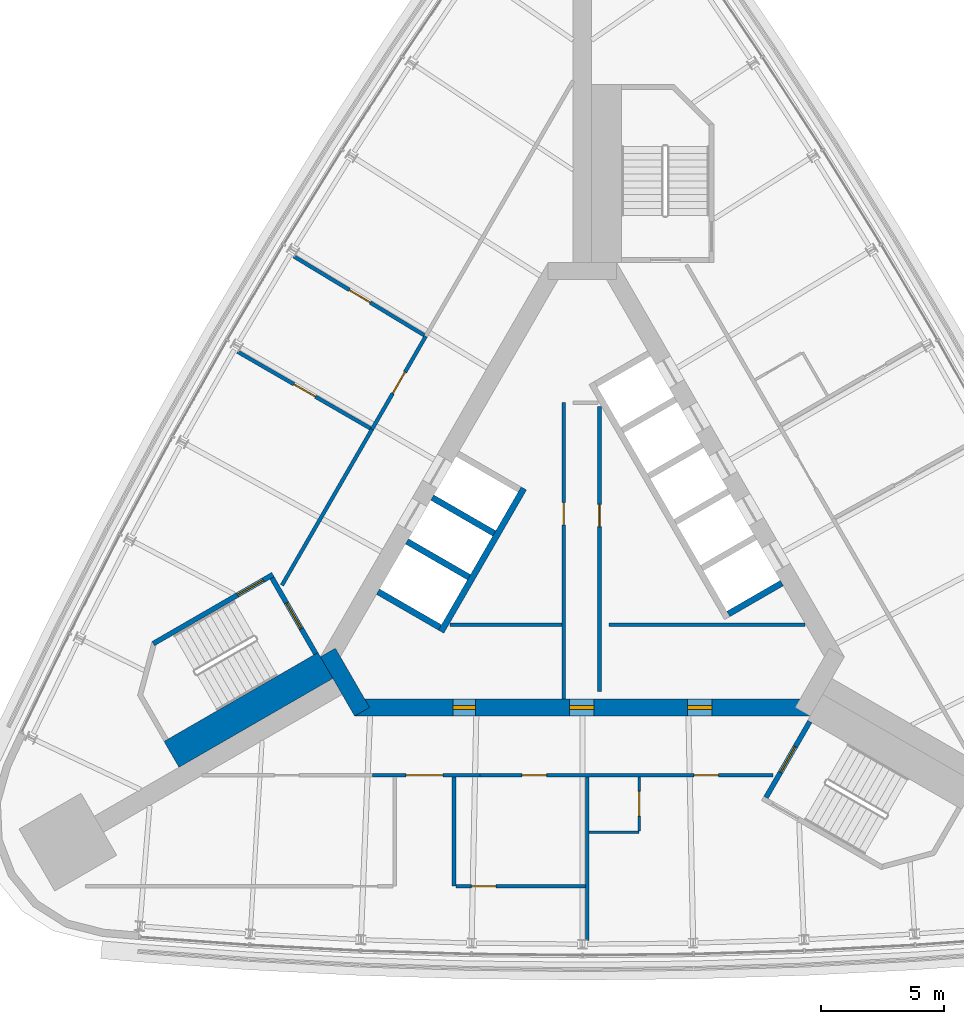
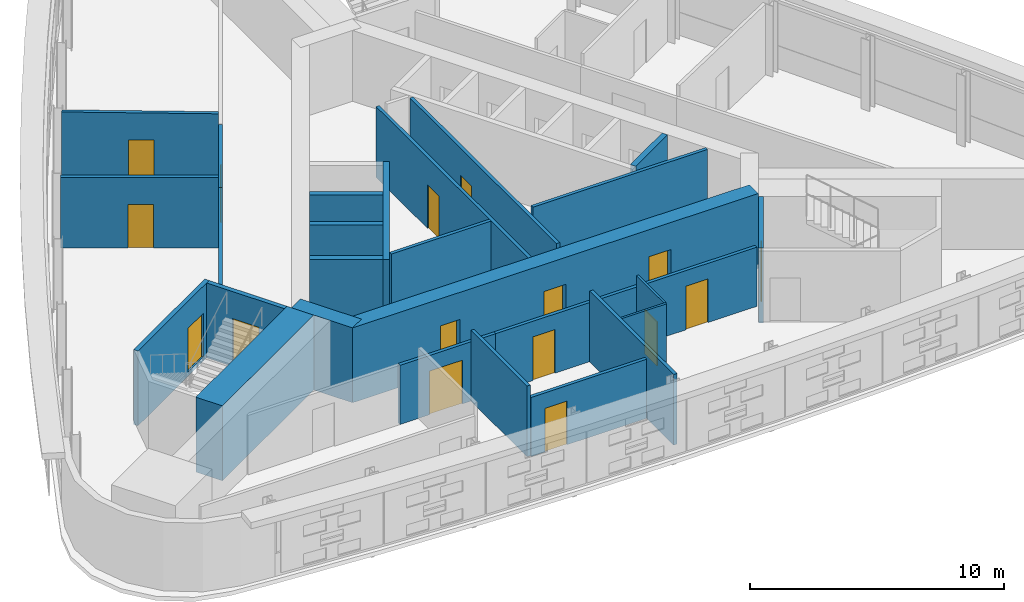
# One storey, part 9 of 13: 26 walls, 16 doors, 16 openings.
"""IFC4 building model written with IfcOpenShell, lengths in metres."""

from ifc_helpers import new_model, si_unit, direction, frame, frame_2d, origin, place, context, subcontext, project, spatial, rectangle, extrude, material, layer, layer_set, type_object, element, fill, save


model = new_model("IFC4")

# Units and contexts
model_context = context("Model", 3, precision=1e-05, world=origin(), true_north=direction((0.0, 1.0)))
body_context = subcontext(model_context, "Body", "Model", "MODEL_VIEW")
ifc_project = project(units=[si_unit("LENGTHUNIT", "METRE"), si_unit("AREAUNIT", "SQUARE_METRE"), si_unit("VOLUMEUNIT", "CUBIC_METRE"), si_unit("PLANEANGLEUNIT", "RADIAN"), si_unit("MASSUNIT", "GRAM", prefix="KILO")], contexts=[model_context])

# Site, building, storey
site_placement = place(None, origin())
site = spatial("IfcSite", under=ifc_project, at=site_placement, CompositionType="ELEMENT")
building_placement = place(site_placement, origin())
building = spatial("IfcBuilding", under=site, at=building_placement, Name="Noor Cloister Tower", CompositionType="ELEMENT")
storey_placement = place(building_placement, frame((0.0, 0.0, 140.10009765625)))
storey = spatial("IfcBuildingStorey", under=building, at=storey_placement, Name="L35", CompositionType="ELEMENT", Elevation=140.10009765625)

# Wall
ifc_material_1 = material(Name="Concrete C30/37", Category="concrete")
ifc_layer_1 = layer(ifc_material_1, 0.14990234375)
ifc_layer_set_1 = layer_set([ifc_layer_1], Name="Core partition 150 C30/37")
wall_type_1 = type_object("IfcWallType", Name="Core partition 150 C30/37", PredefinedType="PARTITIONING", material=ifc_layer_set_1)
wall_1_placement = place(storey_placement, frame((-5.373291015625, -3.228271484375, 0.0), z_axis=(0.0, 0.0, 1.0), x_axis=(1.0, 0.0, 0.0)))
element("IfcWall", 1, at=wall_1_placement, inside=storey, type_object=wall_type_1, Name="Core room partition L35 1", PredefinedType="PARTITIONING", context=body_context, shape_type="SweptSolid", body=[
    extrude(rectangle(XDim=4.544677734375, YDim=0.14990234375, at=frame_2d((2.2724609375, 0.0))), origin(), (0.0, 0.0, 1.0), 3.39990234375),
])

# Wall, opening, door
wall_2_placement = place(storey_placement, frame((-0.753662109375, 5.771728515625, 0.0), z_axis=(0.0, 0.0, 1.0), x_axis=(0.0, -1.0, 0.0)))
wall_2 = element("IfcWall", 2, at=wall_2_placement, inside=storey, type_object=wall_type_1, Name="Core room partition L35 2", PredefinedType="PARTITIONING", context=body_context, shape_type="SweptSolid", body=[
    extrude(rectangle(XDim=12.0, YDim=0.14990234375, at=frame_2d((6.0, 0.0))), origin(), (0.0, 0.0, 1.0), 3.39990234375),
])
opening_1_placement = place(wall_2_placement, frame((4.051025390625, 0.0, 0.0)))
opening_1 = element("IfcOpeningElement", 3, at=opening_1_placement, cuts=wall_2, Name="Opening L35-904", PredefinedType="OPENING", context=body_context, shape_type="SweptSolid", body=[
    extrude(rectangle(XDim=0.89990234375, YDim=2.10009765625, at=frame_2d((0.449951171875, 1.050048828125))), frame((0.0, 0.0849609375, 0.0), z_axis=(0.0, -1.0, 0.0), x_axis=(1.0, 0.0, 0.0)), (0.0, 0.0, 1.0), 0.169921875),
])
ifc_material_2 = material(Name="Steel", Category="steel")
door_type_1 = type_object("IfcDoorType", Name="Core door 900 x 2100 FD120", OperationType="SINGLE_SWING_LEFT", PredefinedType="DOOR", material=ifc_material_2)
door_1_placement = place(opening_1_placement, origin())
door_1 = element("IfcDoor", 4, at=door_1_placement, inside=storey, type_object=door_type_1, Name="Core door 4 L35", OperationType="SINGLE_SWING_RIGHT", OverallHeight=2.10009765625, OverallWidth=0.89990234375, PredefinedType="DOOR", context=body_context, shape_type="SweptSolid", body=[
    extrude(rectangle(XDim=0.89990234375, YDim=2.10009765625, at=frame_2d((0.449951171875, 1.050048828125))), frame((0.0, 0.02490234375, 0.0), z_axis=(0.0, -1.0, 0.0), x_axis=(1.0, 0.0, 0.0)), (0.0, 0.0, 1.0), 0.050048828125),
])
fill(opening_1, door_1)

wall_3_placement = place(storey_placement, frame((0.6962890625, -5.92822265625, 0.0), z_axis=(0.0, 0.0, 1.0), x_axis=(0.0, 1.0, 0.0)))
wall_3 = element("IfcWall", 5, at=wall_3_placement, inside=storey, type_object=wall_type_1, Name="Core room partition L35 4", PredefinedType="PARTITIONING", context=body_context, shape_type="SweptSolid", body=[
    extrude(rectangle(XDim=11.548583984375, YDim=0.14990234375, at=frame_2d((5.7744140625, 0.0))), origin(), (0.0, 0.0, 1.0), 3.39990234375),
])
opening_2_placement = place(wall_3_placement, frame((6.67333984375, 0.0, 0.0)))
opening_2 = element("IfcOpeningElement", 6, at=opening_2_placement, cuts=wall_3, Name="Opening L35-905", PredefinedType="OPENING", context=body_context, shape_type="SweptSolid", body=[
    extrude(rectangle(XDim=0.89990234375, YDim=2.10009765625, at=frame_2d((0.449951171875, 1.050048828125))), frame((0.0, 0.0849609375, 0.0), z_axis=(0.0, -1.0, 0.0), x_axis=(1.0, 0.0, 0.0)), (0.0, 0.0, 1.0), 0.169921875),
])
door_2_placement = place(opening_2_placement, origin())
door_2 = element("IfcDoor", 7, at=door_2_placement, inside=storey, type_object=door_type_1, Name="Core door 5 L35", OperationType="SINGLE_SWING_LEFT", OverallHeight=2.10009765625, OverallWidth=0.89990234375, PredefinedType="DOOR", context=body_context, shape_type="SweptSolid", body=[
    extrude(rectangle(XDim=0.89990234375, YDim=2.10009765625, at=frame_2d((0.449951171875, 1.050048828125))), frame((0.0, 0.02490234375, 0.0), z_axis=(0.0, -1.0, 0.0), x_axis=(1.0, 0.0, 0.0)), (0.0, 0.0, 1.0), 0.050048828125),
])
fill(opening_2, door_2)

# Wall
wall_4_placement = place(storey_placement, frame((1.0712890625, -3.228271484375, 0.0), z_axis=(0.0, 0.0, 1.0), x_axis=(1.0, 0.0, 0.0)))
element("IfcWall", 8, at=wall_4_placement, inside=storey, type_object=wall_type_1, Name="Core room partition L35 5", PredefinedType="PARTITIONING", context=body_context, shape_type="SweptSolid", body=[
    extrude(rectangle(XDim=7.939208984375, YDim=0.14990234375, at=frame_2d((3.9697265625, 0.0))), origin(), (0.0, 0.0, 1.0), 3.39990234375),
])

# Wall, openings, doors
ifc_material_3 = material(Name="Concrete C70/85", Category="concrete")
ifc_layer_2 = layer(ifc_material_3, 0.699951171875)
ifc_layer_set_2 = layer_set([ifc_layer_2], Name="Core wall 700 C70/85")
wall_type_2 = type_object("IfcWallType", Name="Core wall 700 C70/85", PredefinedType="SHEAR", material=ifc_layer_set_2)
wall_5_placement = place(storey_placement, frame((-9.228759765625, -6.578125, -0.2001953125), z_axis=(0.0, 0.0, 1.0), x_axis=(1.0, 0.0, 0.0)))
wall_5 = element("IfcWall", 9, at=wall_5_placement, inside=storey, type_object=wall_type_2, Name="Core wall L35 1", PredefinedType="SHEAR", context=body_context, shape_type="SweptSolid", body=[
    extrude(rectangle(XDim=18.45751953125, YDim=0.699951171875, at=frame_2d((9.228759765625, 0.0))), origin(), (0.0, 0.0, 1.0), 3.60009765625),
])
opening_3_placement = place(wall_5_placement, frame((8.699951171875, 0.0, 0.199951171875)))
opening_3 = element("IfcOpeningElement", 10, at=opening_3_placement, cuts=wall_5, Name="Opening L35-901", PredefinedType="OPENING", context=body_context, shape_type="SweptSolid", body=[
    extrude(rectangle(XDim=1.0, YDim=2.10009765625, at=frame_2d((0.5, 1.050048828125))), frame((0.0, 0.35986328125, 0.0), z_axis=(0.0, -1.0, 0.0), x_axis=(1.0, 0.0, 0.0)), (0.0, 0.0, 1.0), 0.719970703125),
])
opening_4_placement = place(wall_5_placement, frame((3.989501953125, 0.0, 0.199951171875)))
opening_4 = element("IfcOpeningElement", 11, at=opening_4_placement, cuts=wall_5, Name="Opening L35-902", PredefinedType="OPENING", context=body_context, shape_type="SweptSolid", body=[
    extrude(rectangle(XDim=0.89990234375, YDim=2.10009765625, at=frame_2d((0.449951171875, 1.050048828125))), frame((0.0, 0.35986328125, 0.0), z_axis=(0.0, -1.0, 0.0), x_axis=(1.0, 0.0, 0.0)), (0.0, 0.0, 1.0), 0.719970703125),
])
opening_5_placement = place(wall_5_placement, frame((13.489013671875, 0.0, 0.199951171875)))
opening_5 = element("IfcOpeningElement", 12, at=opening_5_placement, cuts=wall_5, Name="Opening L35-903", PredefinedType="OPENING", context=body_context, shape_type="SweptSolid", body=[
    extrude(rectangle(XDim=1.0, YDim=2.10009765625, at=frame_2d((0.5, 1.050048828125))), frame((0.0, 0.35986328125, 0.0), z_axis=(0.0, -1.0, 0.0), x_axis=(1.0, 0.0, 0.0)), (0.0, 0.0, 1.0), 0.719970703125),
])
ifc_material_4 = material(Name="Steel", Category="steel")
door_type_2 = type_object("IfcDoorType", Name="Core door 1000 x 2100 FD120", OperationType="SINGLE_SWING_LEFT", PredefinedType="DOOR", material=ifc_material_4)
door_3_placement = place(opening_3_placement, origin())
door_3 = element("IfcDoor", 13, at=door_3_placement, inside=storey, type_object=door_type_2, Name="Core door 1 L35", OperationType="SINGLE_SWING_LEFT", OverallHeight=2.10009765625, OverallWidth=1.0, PredefinedType="DOOR", context=body_context, shape_type="SweptSolid", body=[
    extrude(rectangle(XDim=1.0, YDim=2.10009765625, at=frame_2d((0.5, 1.050048828125))), frame((0.0, 0.074951171875, 0.0), z_axis=(0.0, -1.0, 0.0), x_axis=(1.0, 0.0, 0.0)), (0.0, 0.0, 1.0), 0.14990234375),
])
fill(opening_3, door_3)
ifc_material_5 = material(Name="Steel", Category="steel")
door_type_3 = type_object("IfcDoorType", Name="Core door 1000 x 2100 FD60", OperationType="SINGLE_SWING_LEFT", PredefinedType="DOOR", material=ifc_material_5)
door_4_placement = place(opening_5_placement, origin())
door_4 = element("IfcDoor", 14, at=door_4_placement, inside=storey, type_object=door_type_3, Name="Core door 3 L35", OperationType="SINGLE_SWING_LEFT", OverallHeight=2.10009765625, OverallWidth=1.0, PredefinedType="DOOR", context=body_context, shape_type="SweptSolid", body=[
    extrude(rectangle(XDim=1.0, YDim=2.10009765625, at=frame_2d((0.5, 1.050048828125))), frame((0.0, 0.074951171875, 0.0), z_axis=(0.0, -1.0, 0.0), x_axis=(1.0, 0.0, 0.0)), (0.0, 0.0, 1.0), 0.14990234375),
])
fill(opening_5, door_4)
door_5_placement = place(opening_4_placement, origin())
door_5 = element("IfcDoor", 15, at=door_5_placement, inside=storey, type_object=door_type_1, Name="Core door 2 L35", OperationType="SINGLE_SWING_RIGHT", OverallHeight=2.10009765625, OverallWidth=0.89990234375, PredefinedType="DOOR", context=body_context, shape_type="SweptSolid", body=[
    extrude(rectangle(XDim=0.89990234375, YDim=2.10009765625, at=frame_2d((0.449951171875, 1.050048828125))), frame((0.0, 0.074951171875, 0.0), z_axis=(0.0, -1.0, 0.0), x_axis=(1.0, 0.0, 0.0)), (0.0, 0.0, 1.0), 0.14990234375),
])
fill(opening_4, door_5)

# Walls
wall_6_placement = place(storey_placement, frame((-10.311279296875, -4.353271484375, -0.2001953125), z_axis=(0.0, 0.0, 1.0), x_axis=(0.500042739161, -0.866000726912, 0.0)))
element("IfcWall", 16, at=wall_6_placement, inside=storey, type_object=wall_type_2, Name="Core wall L35 6", PredefinedType="SHEAR", context=body_context, shape_type="SweptSolid", body=[
    extrude(rectangle(XDim=2.771240234375, YDim=0.699951171875, at=frame_2d((1.3857421875, 0.0))), origin(), (0.0, 0.0, 1.0), 3.60009765625),
])
ifc_material_6 = material(Name="Fire-rated gypsum board partition on steel studs, 150 mm", Category="steel")
ifc_layer_3 = layer(ifc_material_6, 0.14990234375)
ifc_layer_set_3 = layer_set([ifc_layer_3], Name="Fire lobby wall 150")
wall_type_3 = type_object("IfcWallType", Name="Fire lobby wall 150", PredefinedType="PARTITIONING", material=ifc_layer_set_3)
wall_7_placement = place(storey_placement, frame((-8.52490234375, 4.69091796875, 0.0), z_axis=(0.0, 0.0, 1.0), x_axis=(-0.499986021771, -0.866033473968, 0.0)))
element("IfcWall", 17, at=wall_7_placement, inside=storey, type_object=wall_type_3, Name="Wall L35-W19", PredefinedType="PARTITIONING", context=body_context, shape_type="SweptSolid", body=[
    extrude(rectangle(XDim=7.296630859375, YDim=0.14990234375, at=frame_2d((3.6484375, 0.0))), origin(), (0.0, 0.0, 1.0), 2.846923828125),
])

# Wall, opening, door
wall_8_placement = place(storey_placement, frame((-6.34619140625, 8.46435546875, 0.0), z_axis=(0.0, 0.0, 1.0), x_axis=(-0.50001992892, -0.866013897511, 0.0)))
wall_8 = element("IfcWall", 18, at=wall_8_placement, inside=storey, type_object=wall_type_3, Name="Wall L35-W22", PredefinedType="PARTITIONING", context=body_context, shape_type="SweptSolid", body=[
    extrude(rectangle(XDim=4.357177734375, YDim=0.14990234375, at=frame_2d((2.1787109375, 0.0))), origin(), (0.0, 0.0, 1.0), 2.846923828125),
])
opening_6_placement = place(wall_8_placement, frame((1.678466796875, 0.0, 0.0)))
opening_6 = element("IfcOpeningElement", 19, at=opening_6_placement, cuts=wall_8, Name="Opening L35-012", PredefinedType="OPENING", context=body_context, shape_type="SweptSolid", body=[
    extrude(rectangle(XDim=1.0, YDim=2.10009765625, at=frame_2d((0.5, 1.050048828125))), frame((0.0, 0.0849609375, 0.0), z_axis=(0.0, -1.0, 0.0), x_axis=(1.0, 0.0, 0.0)), (0.0, 0.0, 1.0), 0.169921875),
])
ifc_material_7 = material(Name="Timber door leaf with steel frame", Category="steel")
door_type_4 = type_object("IfcDoorType", Name="Fire lobby door 1000", OperationType="NOTDEFINED", PredefinedType="DOOR", material=ifc_material_7)
door_6_placement = place(opening_6_placement, origin())
door_6 = element("IfcDoor", 20, at=door_6_placement, inside=storey, type_object=door_type_4, Name="Door L35-012", OperationType="SINGLE_SWING_RIGHT", OverallHeight=2.10009765625, OverallWidth=1.0, PredefinedType="DOOR", context=body_context, shape_type="SweptSolid", body=[
    extrude(rectangle(XDim=1.0, YDim=2.10009765625, at=frame_2d((0.5, 1.050048828125))), frame((0.0, 0.02490234375, 0.0), z_axis=(0.0, -1.0, 0.0), x_axis=(1.0, 0.0, 0.0)), (0.0, 0.0, 1.0), 0.050048828125),
])
fill(opening_6, door_6)

# Wall, openings, doors
ifc_material_8 = material(Name="Gypsum board partition on steel studs, 150 mm", Category="steel")
ifc_layer_4 = layer(ifc_material_8, 0.14990234375)
ifc_layer_set_4 = layer_set([ifc_layer_4], Name="Flat wall 150")
wall_type_4 = type_object("IfcWallType", Name="Flat wall 150", PredefinedType="PARTITIONING", material=ifc_layer_set_4)
wall_9_placement = place(storey_placement, frame((-4.14892578125, -9.328125, 0.0), z_axis=(0.0, 0.0, 1.0), x_axis=(1.0, 0.0, 0.0)))
wall_9 = element("IfcWall", 21, at=wall_9_placement, inside=storey, type_object=wall_type_4, Name="Wall L35-W09", PredefinedType="PARTITIONING", context=body_context, shape_type="SweptSolid", body=[
    extrude(rectangle(XDim=11.87646484375, YDim=0.14990234375, at=frame_2d((5.938232421875, 0.0))), origin(), (0.0, 0.0, 1.0), 2.846923828125),
])
opening_7_placement = place(wall_9_placement, frame((1.699462890625, 0.0, 0.0)))
opening_7 = element("IfcOpeningElement", 22, at=opening_7_placement, cuts=wall_9, Name="Opening L35-009", PredefinedType="OPENING", context=body_context, shape_type="SweptSolid", body=[
    extrude(rectangle(XDim=1.0, YDim=2.10009765625, at=frame_2d((0.5, 1.050048828125))), frame((0.0, 0.0849609375, 0.0), z_axis=(0.0, -1.0, 0.0), x_axis=(1.0, 0.0, 0.0)), (0.0, 0.0, 1.0), 0.169921875),
])
opening_8_placement = place(wall_9_placement, frame((8.662841796875, 0.0, 0.0)))
opening_8 = element("IfcOpeningElement", 23, at=opening_8_placement, cuts=wall_9, Name="Opening L35-011", PredefinedType="OPENING", context=body_context, shape_type="SweptSolid", body=[
    extrude(rectangle(XDim=1.0, YDim=2.10009765625, at=frame_2d((0.5, 1.050048828125))), frame((0.0, 0.0849609375, 0.0), z_axis=(0.0, -1.0, 0.0), x_axis=(1.0, 0.0, 0.0)), (0.0, 0.0, 1.0), 0.169921875),
])
ifc_material_9 = material(Name="Timber door leaf with steel frame", Category="steel")
door_type_5 = type_object("IfcDoorType", Name="Flat entrance door 1000", OperationType="NOTDEFINED", PredefinedType="DOOR", material=ifc_material_9)
door_7_placement = place(opening_8_placement, origin())
door_7 = element("IfcDoor", 24, at=door_7_placement, inside=storey, type_object=door_type_5, Name="Door L35-011", OperationType="SINGLE_SWING_LEFT", OverallHeight=2.10009765625, OverallWidth=1.0, PredefinedType="DOOR", context=body_context, shape_type="SweptSolid", body=[
    extrude(rectangle(XDim=1.0, YDim=2.10009765625, at=frame_2d((0.5, 1.050048828125))), frame((0.0, 0.02490234375, 0.0), z_axis=(0.0, -1.0, 0.0), x_axis=(1.0, 0.0, 0.0)), (0.0, 0.0, 1.0), 0.050048828125),
])
fill(opening_8, door_7)
ifc_material_10 = material(Name="Timber door leaf with steel frame", Category="steel")
door_type_6 = type_object("IfcDoorType", Name="Interior door 1000 FD60", OperationType="NOTDEFINED", PredefinedType="DOOR", material=ifc_material_10)
door_8_placement = place(opening_7_placement, origin())
door_8 = element("IfcDoor", 25, at=door_8_placement, inside=storey, type_object=door_type_6, Name="Door L35-009", OperationType="SINGLE_SWING_LEFT", OverallHeight=2.10009765625, OverallWidth=1.0, PredefinedType="DOOR", context=body_context, shape_type="SweptSolid", body=[
    extrude(rectangle(XDim=1.0, YDim=2.10009765625, at=frame_2d((0.5, 1.050048828125))), frame((0.0, 0.02490234375, 0.0), z_axis=(0.0, -1.0, 0.0), x_axis=(1.0, 0.0, 0.0)), (0.0, 0.0, 1.0), 0.050048828125),
])
fill(opening_7, door_8)

# Wall, opening, door
wall_10_placement = place(storey_placement, frame((-8.50146484375, -9.328125, 0.0), z_axis=(0.0, 0.0, 1.0), x_axis=(1.0, 0.0, 0.0)))
wall_10 = element("IfcWall", 26, at=wall_10_placement, inside=storey, type_object=wall_type_4, Name="Wall L35-W10", PredefinedType="PARTITIONING", context=body_context, shape_type="SweptSolid", body=[
    extrude(rectangle(XDim=4.3525390625, YDim=0.14990234375, at=frame_2d((2.17626953125, 0.0))), origin(), (0.0, 0.0, 1.0), 2.846923828125),
])
opening_9_placement = place(wall_10_placement, frame((1.351806640625, 0.0, 0.0)))
opening_9 = element("IfcOpeningElement", 27, at=opening_9_placement, cuts=wall_10, Name="Opening L35-005", PredefinedType="OPENING", context=body_context, shape_type="SweptSolid", body=[
    extrude(rectangle(XDim=1.5, YDim=2.10009765625, at=frame_2d((0.75, 1.050048828125))), frame((0.0, 0.0849609375, 0.0), z_axis=(0.0, -1.0, 0.0), x_axis=(1.0, 0.0, 0.0)), (0.0, 0.0, 1.0), 0.169921875),
])
ifc_material_11 = material(Name="Timber door leaf with steel frame", Category="steel")
door_type_7 = type_object("IfcDoorType", Name="Double door 1500 FD60", OperationType="NOTDEFINED", PredefinedType="DOOR", material=ifc_material_11)
door_9_placement = place(opening_9_placement, origin())
door_9 = element("IfcDoor", 28, at=door_9_placement, inside=storey, type_object=door_type_7, Name="Door L35-005", OperationType="DOUBLE_DOOR_SINGLE_SWING", OverallHeight=2.10009765625, OverallWidth=1.5, PredefinedType="DOOR", context=body_context, shape_type="SweptSolid", body=[
    extrude(rectangle(XDim=1.5, YDim=2.10009765625, at=frame_2d((0.75, 1.050048828125))), frame((0.0, 0.02490234375, 0.0), z_axis=(0.0, -1.0, 0.0), x_axis=(1.0, 0.0, 0.0)), (0.0, 0.0, 1.0), 0.050048828125),
])
fill(opening_9, door_9)

# Walls
wall_11_placement = place(storey_placement, frame((0.199951171875, -16.0205078125, 0.0), z_axis=(0.0, 0.0, 1.0), x_axis=(0.0, 1.0, 0.0)))
element("IfcWall", 29, at=wall_11_placement, inside=storey, type_object=wall_type_4, Name="Wall L35-W11", PredefinedType="PARTITIONING", context=body_context, shape_type="SweptSolid", body=[
    extrude(rectangle(XDim=6.6171875, YDim=0.14990234375, at=frame_2d((3.30859375, 0.0))), origin(), (0.0, 0.0, 1.0), 3.39990234375),
])
wall_12_placement = place(storey_placement, frame((-5.19970703125, -9.4033203125, 0.0), z_axis=(0.0, 0.0, 1.0), x_axis=(0.0, -1.0, 0.0)))
element("IfcWall", 30, at=wall_12_placement, inside=storey, type_object=wall_type_4, Name="Wall L35-W13", PredefinedType="PARTITIONING", context=body_context, shape_type="SweptSolid", body=[
    extrude(rectangle(XDim=4.41650390625, YDim=0.14990234375, at=frame_2d((2.208251953125, 0.0))), origin(), (0.0, 0.0, 1.0), 3.39990234375),
])

# Wall, opening, door
wall_13_placement = place(storey_placement, frame((-5.124755859375, -13.81982421875, 0.0), z_axis=(0.0, 0.0, 1.0), x_axis=(1.0, 0.0, 0.0)))
wall_13 = element("IfcWall", 31, at=wall_13_placement, inside=storey, type_object=wall_type_4, Name="Wall L35-W15", PredefinedType="PARTITIONING", context=body_context, shape_type="SweptSolid", body=[
    extrude(rectangle(XDim=5.249755859375, YDim=0.14990234375, at=frame_2d((2.625, 0.0))), origin(), (0.0, 0.0, 1.0), 2.846923828125),
])
opening_10_placement = place(wall_13_placement, frame((0.625, 0.0, 0.0)))
opening_10 = element("IfcOpeningElement", 32, at=opening_10_placement, cuts=wall_13, Name="Opening L35-008", PredefinedType="OPENING", context=body_context, shape_type="SweptSolid", body=[
    extrude(rectangle(XDim=1.0, YDim=2.10009765625, at=frame_2d((0.5, 1.050048828125))), frame((0.0, 0.0849609375, 0.0), z_axis=(0.0, -1.0, 0.0), x_axis=(1.0, 0.0, 0.0)), (0.0, 0.0, 1.0), 0.169921875),
])
door_10_placement = place(opening_10_placement, origin())
door_10 = element("IfcDoor", 33, at=door_10_placement, inside=storey, type_object=door_type_6, Name="Door L35-008", OperationType="SINGLE_SWING_RIGHT", OverallHeight=2.10009765625, OverallWidth=1.0, PredefinedType="DOOR", context=body_context, shape_type="SweptSolid", body=[
    extrude(rectangle(XDim=1.0, YDim=2.10009765625, at=frame_2d((0.5, 1.050048828125))), frame((0.0, 0.02490234375, 0.0), z_axis=(0.0, -1.0, 0.0), x_axis=(1.0, 0.0, 0.0)), (0.0, 0.0, 1.0), 0.050048828125),
])
fill(opening_10, door_10)

wall_14_placement = place(storey_placement, frame((-11.695068359375, 11.700439453125, 0.0), z_axis=(0.0, 0.0, 1.0), x_axis=(0.855596827578, -0.517642800238, 0.0)))
wall_14 = element("IfcWall", 34, at=wall_14_placement, inside=storey, type_object=wall_type_4, Name="Wall L35-W20", PredefinedType="PARTITIONING", context=body_context, shape_type="SweptSolid", body=[
    extrude(rectangle(XDim=6.176513671875, YDim=0.14990234375, at=frame_2d((3.08837890625, 0.0))), origin(), (0.0, 0.0, 1.0), 3.39990234375),
])
opening_11_placement = place(wall_14_placement, frame((2.625732421875, 0.0, 0.0)))
opening_11 = element("IfcOpeningElement", 35, at=opening_11_placement, cuts=wall_14, Name="Opening L35-013", PredefinedType="OPENING", context=body_context, shape_type="SweptSolid", body=[
    extrude(rectangle(XDim=1.0, YDim=2.10009765625, at=frame_2d((0.5, 1.050048828125))), frame((0.0, 0.0849609375, 0.0), z_axis=(0.0, -1.0, 0.0), x_axis=(1.0, 0.0, 0.0)), (0.0, 0.0, 1.0), 0.169921875),
])
door_11_placement = place(opening_11_placement, origin())
door_11 = element("IfcDoor", 36, at=door_11_placement, inside=storey, type_object=door_type_6, Name="Door L35-013", OperationType="SINGLE_SWING_LEFT", OverallHeight=2.10009765625, OverallWidth=1.0, PredefinedType="DOOR", context=body_context, shape_type="SweptSolid", body=[
    extrude(rectangle(XDim=1.0, YDim=2.10009765625, at=frame_2d((0.5, 1.050048828125))), frame((0.0, 0.02490234375, 0.0), z_axis=(0.0, -1.0, 0.0), x_axis=(1.0, 0.0, 0.0)), (0.0, 0.0, 1.0), 0.050048828125),
])
fill(opening_11, door_11)

wall_15_placement = place(storey_placement, frame((-13.97412109375, 7.8369140625, 0.0), z_axis=(0.0, 0.0, 1.0), x_axis=(0.866040415161, -0.499973998632, 0.0)))
wall_15 = element("IfcWall", 37, at=wall_15_placement, inside=storey, type_object=wall_type_4, Name="Wall L35-W21", PredefinedType="PARTITIONING", context=body_context, shape_type="SweptSolid", body=[
    extrude(rectangle(XDim=6.217041015625, YDim=0.14990234375, at=frame_2d((3.1083984375, 0.0))), origin(), (0.0, 0.0, 1.0), 3.39990234375),
])
opening_12_placement = place(wall_15_placement, frame((2.64599609375, 0.0, 0.0)))
opening_12 = element("IfcOpeningElement", 38, at=opening_12_placement, cuts=wall_15, Name="Opening L35-014", PredefinedType="OPENING", context=body_context, shape_type="SweptSolid", body=[
    extrude(rectangle(XDim=1.0, YDim=2.10009765625, at=frame_2d((0.5, 1.050048828125))), frame((0.0, 0.0849609375, 0.0), z_axis=(0.0, -1.0, 0.0), x_axis=(1.0, 0.0, 0.0)), (0.0, 0.0, 1.0), 0.169921875),
])
door_12_placement = place(opening_12_placement, origin())
door_12 = element("IfcDoor", 39, at=door_12_placement, inside=storey, type_object=door_type_6, Name="Door L35-014", OperationType="SINGLE_SWING_RIGHT", OverallHeight=2.10009765625, OverallWidth=1.0, PredefinedType="DOOR", context=body_context, shape_type="SweptSolid", body=[
    extrude(rectangle(XDim=1.0, YDim=2.10009765625, at=frame_2d((0.5, 1.050048828125))), frame((0.0, 0.02490234375, 0.0), z_axis=(0.0, -1.0, 0.0), x_axis=(1.0, 0.0, 0.0)), (0.0, 0.0, 1.0), 0.050048828125),
])
fill(opening_12, door_12)

# Wall
ifc_material_12 = material(Name="Gypsum board partition on steel studs, 100 mm", Category="steel")
ifc_layer_5 = layer(ifc_material_12, 0.10009765625)
ifc_layer_set_5 = layer_set([ifc_layer_5], Name="Partition 100")
wall_type_5 = type_object("IfcWallType", Name="Partition 100", PredefinedType="PARTITIONING", material=ifc_layer_set_5)
wall_16_placement = place(storey_placement, frame((0.27490234375, -11.628173828125, 0.0), z_axis=(0.0, 0.0, 1.0), x_axis=(1.0, 0.0, 0.0)))
element("IfcWall", 40, at=wall_16_placement, inside=storey, type_object=wall_type_5, Name="Wall L35-W16", PredefinedType="PARTITIONING", context=body_context, shape_type="SweptSolid", body=[
    extrude(rectangle(XDim=2.025146484375, YDim=0.10009765625, at=frame_2d((1.0126953125, 0.0))), origin(), (0.0, 0.0, 1.0), 3.39990234375),
])

# Wall, opening, door
wall_17_placement = place(storey_placement, frame((2.300048828125, -11.578125, 0.0), z_axis=(0.0, 0.0, 1.0), x_axis=(0.0, 1.0, 0.0)))
wall_17 = element("IfcWall", 41, at=wall_17_placement, inside=storey, type_object=wall_type_5, Name="Wall L35-W17", PredefinedType="PARTITIONING", context=body_context, shape_type="SweptSolid", body=[
    extrude(rectangle(XDim=2.1748046875, YDim=0.10009765625, at=frame_2d((1.08740234375, 0.0))), origin(), (0.0, 0.0, 1.0), 3.39990234375),
])
opening_13_placement = place(wall_17_placement, frame((0.60009765625, 0.0, 0.0)))
opening_13 = element("IfcOpeningElement", 42, at=opening_13_placement, cuts=wall_17, Name="Opening L35-010", PredefinedType="OPENING", context=body_context, shape_type="SweptSolid", body=[
    extrude(rectangle(XDim=1.0, YDim=2.10009765625, at=frame_2d((0.5, 1.050048828125))), frame((0.0, 0.06005859375, 0.0), z_axis=(0.0, -1.0, 0.0), x_axis=(1.0, 0.0, 0.0)), (0.0, 0.0, 1.0), 0.1201171875),
])
ifc_material_13 = material(Name="Timber door leaf with steel frame", Category="steel")
door_type_8 = type_object("IfcDoorType", Name="Interior door 1000", OperationType="NOTDEFINED", PredefinedType="DOOR", material=ifc_material_13)
door_13_placement = place(opening_13_placement, origin())
door_13 = element("IfcDoor", 43, at=door_13_placement, inside=storey, type_object=door_type_8, Name="Door L35-010", OperationType="SINGLE_SWING_RIGHT", OverallHeight=2.10009765625, OverallWidth=1.0, PredefinedType="DOOR", context=body_context, shape_type="SweptSolid", body=[
    extrude(rectangle(XDim=1.0, YDim=2.10009765625, at=frame_2d((0.5, 1.050048828125))), frame((0.0, 0.02490234375, 0.0), z_axis=(0.0, -1.0, 0.0), x_axis=(1.0, 0.0, 0.0)), (0.0, 0.0, 1.0), 0.050048828125),
])
fill(opening_13, door_13)

# Walls
ifc_material_14 = material(Name="Concrete C70/85", Category="concrete")
ifc_layer_6 = layer(ifc_material_14, 0.25)
ifc_layer_set_6 = layer_set([ifc_layer_6], Name="Shaft wall 250 C70/85")
wall_type_6 = type_object("IfcWallType", Name="Shaft wall 250 C70/85", PredefinedType="PARTITIONING", material=ifc_layer_set_6)
wall_18_placement = place(storey_placement, frame((8.081298828125, -1.540771484375, -0.2001953125), z_axis=(0.0, 0.0, 1.0), x_axis=(-0.866022959057, -0.500004234368, 0.0)))
element("IfcWall", 44, at=wall_18_placement, inside=storey, type_object=wall_type_6, Name="Lift shaft wall L35 NE 1", PredefinedType="PARTITIONING", context=body_context, shape_type="SweptSolid", body=[
    extrude(rectangle(XDim=2.5, YDim=0.25, at=frame_2d((1.25, 0.0))), origin(), (0.0, 0.0, 1.0), 3.60009765625),
])
for number, where, z_axis, x_axis, name in (
    (45, (-6.081298828125, 1.92333984375, -0.2001953125), (0.0, 0.0, 1.0), (0.866032775405, -0.499987231761, 0.0), "Lift shaft wall L35 NW 4"),
    (46, (-7.106201171875, 0.14794921875, -0.2001953125), (0.0, 0.0, 1.0), (0.866032775405, -0.499987231761, 0.0), "Lift shaft wall L35 NW 5"),
    (47, (-8.28125, -1.88720703125, -0.2001953125), (0.0, 0.0, 1.0), (0.866032775405, -0.499987231761, 0.0), "Lift shaft wall L35 NW 6"),
):
    element("IfcWall", number, at=place(storey_placement, frame(where, z_axis=z_axis, x_axis=x_axis)), inside=storey, type_object=wall_type_6, Name=name, PredefinedType="PARTITIONING", context=body_context, shape_type="SweptSolid", body=[
        extrude(rectangle(XDim=2.89990234375, YDim=0.25, at=frame_2d((1.449951171875, 0.0))), origin(), (0.0, 0.0, 1.0), 3.60009765625),
    ])
wall_19_placement = place(storey_placement, frame((-2.3740234375, 2.29443359375, 0.0), z_axis=(0.0, 0.0, 1.0), x_axis=(-0.500003174267, -0.866023571113, 0.0)))
element("IfcWall", 48, at=wall_19_placement, inside=storey, type_object=wall_type_6, Name="Lift shaft back wall L35 NW", PredefinedType="PARTITIONING", context=body_context, shape_type="SweptSolid", body=[
    extrude(rectangle(XDim=6.7001953125, YDim=0.25, at=frame_2d((3.35009765625, 0.0))), origin(), (0.0, 0.0, 1.0), 3.39990234375),
])
ifc_material_15 = material(Name="Concrete C70/85", Category="concrete")
ifc_layer_7 = layer(ifc_material_15, 1.2109375)
ifc_layer_set_7 = layer_set([ifc_layer_7], Name="Stair enclosure wall 1211 C70/85")
wall_type_7 = type_object("IfcWallType", Name="Stair enclosure wall 1211 C70/85", PredefinedType="SHEAR", material=ifc_layer_set_7)
wall_20_placement = place(storey_placement, frame((-10.41162109375, -4.879150390625, -0.2001953125), z_axis=(0.0, 0.0, 1.0), x_axis=(-0.866026919366, -0.499997374926, 0.0)))
element("IfcWall", 49, at=wall_20_placement, inside=storey, type_object=wall_type_7, Name="Stair enclosure wall ST2 L35 riser side", PredefinedType="SHEAR", context=body_context, shape_type="SweptSolid", body=[
    extrude(rectangle(XDim=7.2001953125, YDim=1.210693359375, at=frame_2d((3.60009765625, 0.0))), origin(), (0.0, 0.0, 1.0), 3.60009765625),
])

# Wall, opening, door
ifc_material_16 = material(Name="Concrete C70/85", Category="concrete")
ifc_layer_8 = layer(ifc_material_16, 0.199951171875)
ifc_layer_set_8 = layer_set([ifc_layer_8], Name="Stair enclosure wall 200 C70/85")
wall_type_8 = type_object("IfcWallType", Name="Stair enclosure wall 200 C70/85", PredefinedType="SHEAR", material=ifc_layer_set_8)
wall_21_placement = place(storey_placement, frame((-12.575927734375, -1.33056640625, -0.2001953125), z_axis=(0.0, 0.0, 1.0), x_axis=(0.499970499736, -0.8660424351, 0.0)))
wall_21 = element("IfcWall", 50, at=wall_21_placement, inside=storey, type_object=wall_type_8, Name="Stair enclosure wall ST2 L35 near end", PredefinedType="SHEAR", context=body_context, shape_type="SweptSolid", body=[
    extrude(rectangle(XDim=3.550048828125, YDim=0.199951171875, at=frame_2d((1.77490234375, 0.0))), origin(), (0.0, 0.0, 1.0), 3.60009765625),
])
opening_14_placement = place(wall_21_placement, frame((1.175048828125, 0.0, 0.199951171875)))
opening_14 = element("IfcOpeningElement", 51, at=opening_14_placement, cuts=wall_21, Name="Opening L35-ST2L", PredefinedType="OPENING", context=body_context, shape_type="SweptSolid", body=[
    extrude(rectangle(XDim=1.199951171875, YDim=2.10009765625, at=frame_2d((0.60009765625, 1.050048828125))), frame((0.0, 0.10986328125, 0.0), z_axis=(0.0, -1.0, 0.0), x_axis=(1.0, 0.0, 0.0)), (0.0, 0.0, 1.0), 0.219970703125),
])
ifc_material_17 = material(Name="Steel", Category="steel")
door_type_9 = type_object("IfcDoorType", Name="Stair door 1200 x 2100 FD120", OperationType="SINGLE_SWING_LEFT", PredefinedType="DOOR", material=ifc_material_17)
door_14_placement = place(opening_14_placement, origin())
door_14 = element("IfcDoor", 52, at=door_14_placement, inside=storey, type_object=door_type_9, Name="Stair door ST2 L35", OperationType="SINGLE_SWING_RIGHT", OverallHeight=2.10009765625, OverallWidth=1.199951171875, PredefinedType="DOOR", context=body_context, shape_type="SweptSolid", body=[
    extrude(rectangle(XDim=1.199951171875, YDim=2.10009765625, at=frame_2d((0.60009765625, 1.050048828125))), frame((0.0, 0.02490234375, 0.0), z_axis=(0.0, -1.0, 0.0), x_axis=(1.0, 0.0, 0.0)), (0.0, 0.0, 1.0), 0.050048828125),
])
fill(opening_14, door_14)

wall_22_placement = place(storey_placement, frame((-12.539306640625, -1.194091796875, -0.2001953125), z_axis=(0.0, 0.0, 1.0), x_axis=(-0.866045472092, -0.499965239061, 0.0)))
wall_22 = element("IfcWall", 53, at=wall_22_placement, inside=storey, type_object=wall_type_8, Name="Stair enclosure wall ST2 L35 outer side", PredefinedType="SHEAR", context=body_context, shape_type="SweptSolid", body=[
    extrude(rectangle(XDim=5.60009765625, YDim=0.199951171875, at=frame_2d((2.800048828125, 0.0))), origin(), (0.0, 0.0, 1.0), 3.60009765625),
])
opening_15_placement = place(wall_22_placement, frame((0.449951171875, 0.0, 0.199951171875)))
opening_15 = element("IfcOpeningElement", 54, at=opening_15_placement, cuts=wall_22, Name="Opening L35-ST2C", PredefinedType="OPENING", context=body_context, shape_type="SweptSolid", body=[
    extrude(rectangle(XDim=1.199951171875, YDim=2.10009765625, at=frame_2d((0.60009765625, 1.050048828125))), frame((0.0, 0.10986328125, 0.0), z_axis=(0.0, -1.0, 0.0), x_axis=(1.0, 0.0, 0.0)), (0.0, 0.0, 1.0), 0.219970703125),
])
door_15_placement = place(opening_15_placement, origin())
door_15 = element("IfcDoor", 55, at=door_15_placement, inside=storey, type_object=door_type_9, Name="Stair door ST2 L35", OperationType="SINGLE_SWING_LEFT", OverallHeight=2.10009765625, OverallWidth=1.199951171875, PredefinedType="DOOR", context=body_context, shape_type="SweptSolid", body=[
    extrude(rectangle(XDim=1.199951171875, YDim=2.10009765625, at=frame_2d((0.60009765625, 1.050048828125))), frame((0.0, 0.02490234375, 0.0), z_axis=(0.0, -1.0, 0.0), x_axis=(1.0, 0.0, 0.0)), (0.0, 0.0, 1.0), 0.050048828125),
])
fill(opening_15, door_15)

wall_23_placement = place(storey_placement, frame((7.440185546875, -10.225830078125, -0.2001953125), z_axis=(0.0, 0.0, 1.0), x_axis=(0.500022077904, 0.866012656725, 0.0)))
wall_23 = element("IfcWall", 56, at=wall_23_placement, inside=storey, type_object=wall_type_8, Name="Stair enclosure wall ST3 L35 near end", PredefinedType="SHEAR", context=body_context, shape_type="SweptSolid", body=[
    extrude(rectangle(XDim=3.550048828125, YDim=0.199951171875, at=frame_2d((1.77490234375, 0.0))), origin(), (0.0, 0.0, 1.0), 3.60009765625),
])
opening_16_placement = place(wall_23_placement, frame((1.175048828125, 0.0, 0.199951171875)))
opening_16 = element("IfcOpeningElement", 57, at=opening_16_placement, cuts=wall_23, Name="Opening L35-ST3L", PredefinedType="OPENING", context=body_context, shape_type="SweptSolid", body=[
    extrude(rectangle(XDim=1.199951171875, YDim=2.10009765625, at=frame_2d((0.60009765625, 1.050048828125))), frame((0.0, 0.10986328125, 0.0), z_axis=(0.0, -1.0, 0.0), x_axis=(1.0, 0.0, 0.0)), (0.0, 0.0, 1.0), 0.219970703125),
])
door_16_placement = place(opening_16_placement, origin())
door_16 = element("IfcDoor", 58, at=door_16_placement, inside=storey, type_object=door_type_9, Name="Stair door ST3 L35", OperationType="SINGLE_SWING_RIGHT", OverallHeight=2.10009765625, OverallWidth=1.199951171875, PredefinedType="DOOR", context=body_context, shape_type="SweptSolid", body=[
    extrude(rectangle(XDim=1.199951171875, YDim=2.10009765625, at=frame_2d((0.60009765625, 1.050048828125))), frame((0.0, 0.02490234375, 0.0), z_axis=(0.0, -1.0, 0.0), x_axis=(1.0, 0.0, 0.0)), (0.0, 0.0, 1.0), 0.050048828125),
])
fill(opening_16, door_16)

save(model, "model.ifc")
